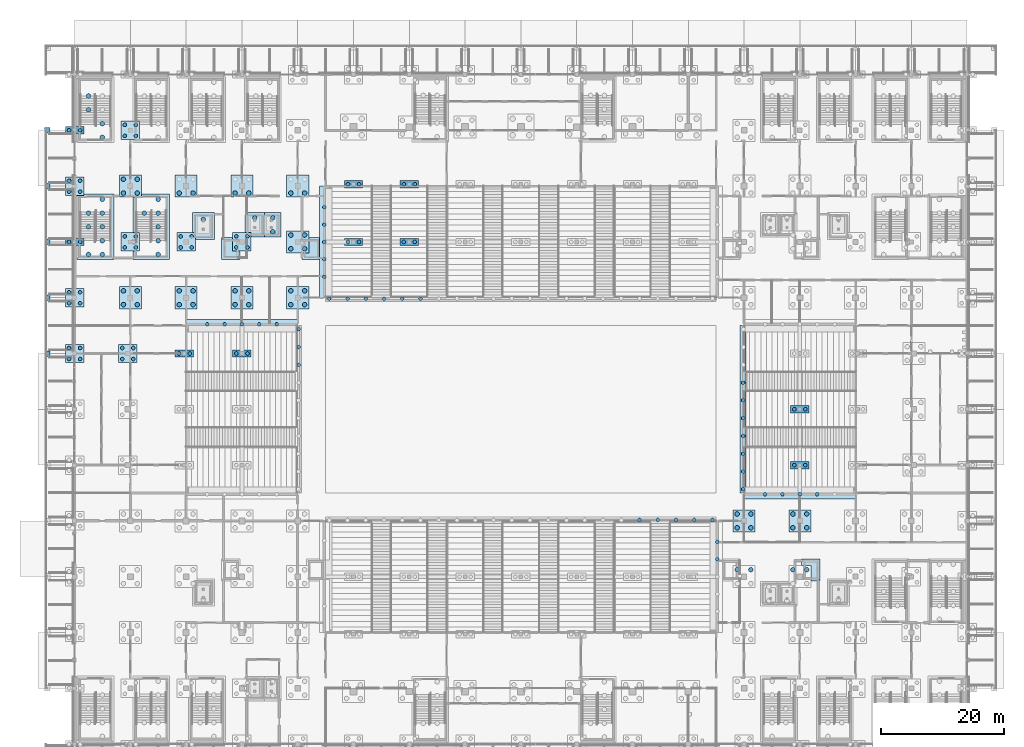
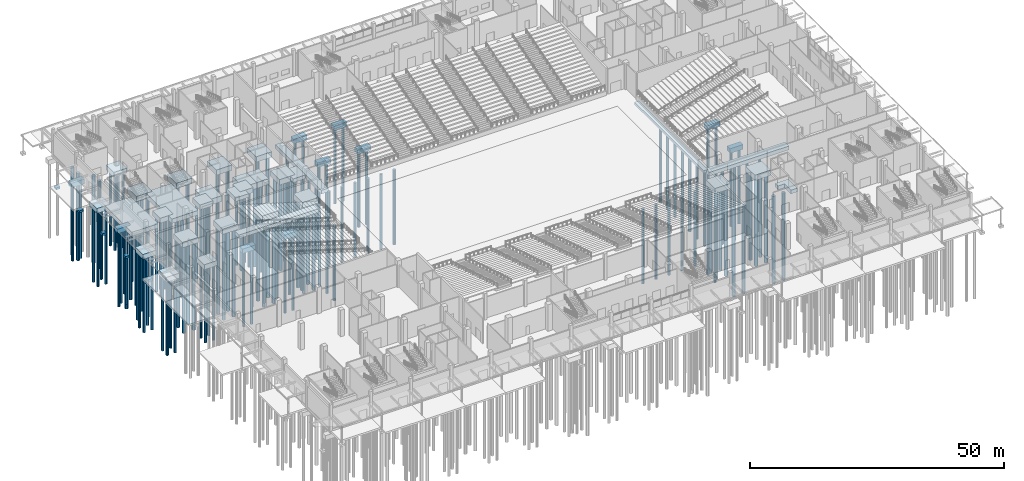
# One storey, part 3 of 129: 153 piles, 46 footings.
"""IFC4 building model written with IfcOpenShell, lengths in metres."""

from ifc_helpers import new_model, si_unit, direction, frame, origin, origin_2d, place, context, subcontext, project, spatial, polyline, rectangle, circle, outline, extrude, material, material_profile, profile_set, type_object, element, save


model = new_model("IFC4")

# Units and contexts
model_context = context("Model", 3, precision=1e-05, world=origin(), true_north=direction((0.0, 1.0)))
body_context = subcontext(model_context, "Body", "Model", "MODEL_VIEW")
ifc_project = project(units=[si_unit("LENGTHUNIT", "METRE"), si_unit("AREAUNIT", "SQUARE_METRE"), si_unit("VOLUMEUNIT", "CUBIC_METRE"), si_unit("PLANEANGLEUNIT", "RADIAN"), si_unit("MASSUNIT", "GRAM", prefix="KILO")], contexts=[model_context])

# Site, building, storey
site_placement = place(None, origin())
site = spatial("IfcSite", under=ifc_project, at=site_placement, CompositionType="ELEMENT")
building_placement = place(site_placement, origin())
building = spatial("IfcBuilding", under=site, at=building_placement, Name="Shirokan Park Arena", CompositionType="ELEMENT")
storey_placement = place(building_placement, origin())
storey = spatial("IfcBuildingStorey", under=building, at=storey_placement, Name="L00", CompositionType="ELEMENT", Elevation=0.0)

# Piles
ifc_material = material(Name="Concrete C30", Category="concrete")
ifc_material_profile_1 = material_profile(ifc_material, circle(Radius=0.300048828125, at=origin_2d()), Name="D600")
ifc_profile_set_1 = profile_set([ifc_material_profile_1], Name="Concrete C30")
pile_type_1 = type_object("IfcPileType", Name="Bored pile 600", PredefinedType="BORED", material=ifc_profile_set_1)
for number, where, z_axis, x_axis, name in (
    (1, (-0.89990234375, 62.800048828125, -1.60009765625), (0.0, 0.0, -1.0), (1.0, 0.0, 0.0), "Bored pile 1H 1"),
    (2, (-0.89990234375, 64.60009765625, -1.60009765625), (0.0, 0.0, -1.0), (1.0, 0.0, 0.0), "Bored pile 1H 2"),
    (3, (0.89990234375, 62.800048828125, -1.60009765625), (0.0, 0.0, -1.0), (1.0, 0.0, 0.0), "Bored pile 1H 3"),
    (4, (0.89990234375, 64.60009765625, -1.60009765625), (0.0, 0.0, -1.0), (1.0, 0.0, 0.0), "Bored pile 1H 4"),
    (5, (-0.89990234375, 71.89990234375, -1.60009765625), (0.0, 0.0, -1.0), (1.0, 0.0, 0.0), "Bored pile 1J 1"),
    (6, (-0.89990234375, 73.699951171875, -1.60009765625), (0.0, 0.0, -1.0), (1.0, 0.0, 0.0), "Bored pile 1J 2"),
    (7, (0.89990234375, 71.89990234375, -1.60009765625), (0.0, 0.0, -1.0), (1.0, 0.0, 0.0), "Bored pile 1J 3"),
    (8, (0.89990234375, 73.699951171875, -1.60009765625), (0.0, 0.0, -1.0), (1.0, 0.0, 0.0), "Bored pile 1J 4"),
    (9, (-0.89990234375, 81.89990234375, -1.5), (0.0, 0.0, -1.0), (1.0, 0.0, 0.0), "Bored pile 1K 1"),
    (10, (0.89990234375, 81.89990234375, -1.5), (0.0, 0.0, -1.0), (1.0, 0.0, 0.0), "Bored pile 1K 2"),
    (11, (-0.89990234375, 90.10009765625, -1.60009765625), (0.0, 0.0, -1.0), (1.0, 0.0, 0.0), "Bored pile 1L 1"),
    (12, (-0.89990234375, 91.89990234375, -1.60009765625), (0.0, 0.0, -1.0), (1.0, 0.0, 0.0), "Bored pile 1L 2"),
    (13, (0.89990234375, 90.10009765625, -1.60009765625), (0.0, 0.0, -1.0), (1.0, 0.0, 0.0), "Bored pile 1L 3"),
    (14, (0.89990234375, 91.89990234375, -1.60009765625), (0.0, 0.0, -1.0), (1.0, 0.0, 0.0), "Bored pile 1L 4"),
    (15, (-0.89990234375, 100.10009765625, -1.5), (0.0, 0.0, -1.0), (1.0, 0.0, 0.0), "Bored pile 1M 1"),
    (16, (0.89990234375, 100.10009765625, -1.5), (0.0, 0.0, -1.0), (1.0, 0.0, 0.0), "Bored pile 1M 2"),
    (17, (7.77490234375, 62.800048828125, -1.60009765625), (0.0, 0.0, -1.0), (1.0, 0.0, 0.0), "Bored pile 2H 1"),
    (18, (7.77490234375, 64.60009765625, -1.60009765625), (0.0, 0.0, -1.0), (1.0, 0.0, 0.0), "Bored pile 2H 2"),
    (19, (9.574951171875, 62.800048828125, -1.60009765625), (0.0, 0.0, -1.0), (1.0, 0.0, 0.0), "Bored pile 2H 3"),
    (20, (9.574951171875, 64.60009765625, -1.60009765625), (0.0, 0.0, -1.0), (1.0, 0.0, 0.0), "Bored pile 2H 4"),
    (21, (8.199951171875, 81.0, -1.60009765625), (0.0, 0.0, -1.0), (1.0, 0.0, 0.0), "Bored pile 2K 1"),
    (22, (8.199951171875, 82.800048828125, -1.60009765625), (0.0, 0.0, -1.0), (1.0, 0.0, 0.0), "Bored pile 2K 2"),
    (23, (10.0, 81.0, -1.60009765625), (0.0, 0.0, -1.0), (1.0, 0.0, 0.0), "Bored pile 2K 3"),
    (24, (10.0, 82.800048828125, -1.60009765625), (0.0, 0.0, -1.0), (1.0, 0.0, 0.0), "Bored pile 2K 4"),
    (25, (8.199951171875, 99.199951171875, -1.60009765625), (0.0, 0.0, -1.0), (1.0, 0.0, 0.0), "Bored pile 2M 1"),
    (26, (8.199951171875, 101.0, -1.60009765625), (0.0, 0.0, -1.0), (1.0, 0.0, 0.0), "Bored pile 2M 2"),
    (27, (10.0, 99.199951171875, -1.60009765625), (0.0, 0.0, -1.0), (1.0, 0.0, 0.0), "Bored pile 2M 3"),
    (28, (10.0, 101.0, -1.60009765625), (0.0, 0.0, -1.0), (1.0, 0.0, 0.0), "Bored pile 2M 4"),
    (29, (17.0, 63.699951171875, -1.5), (0.0, 0.0, -1.0), (1.0, 0.0, 0.0), "Bored pile 3H 1"),
    (30, (18.800048828125, 63.699951171875, -1.5), (0.0, 0.0, -1.0), (1.0, 0.0, 0.0), "Bored pile 3H 2"),
    (31, (17.300048828125, 81.0, -1.60009765625), (0.0, 0.0, -1.0), (1.0, 0.0, 0.0), "Bored pile 3K 1"),
    (32, (17.300048828125, 82.800048828125, -1.60009765625), (0.0, 0.0, -1.0), (1.0, 0.0, 0.0), "Bored pile 3K 2"),
    (33, (19.10009765625, 81.0, -1.60009765625), (0.0, 0.0, -1.0), (1.0, 0.0, 0.0), "Bored pile 3K 3"),
    (34, (19.10009765625, 82.800048828125, -1.60009765625), (0.0, 0.0, -1.0), (1.0, 0.0, 0.0), "Bored pile 3K 4"),
    (35, (26.39990234375, 63.699951171875, -1.5), (0.0, 0.0, -1.0), (1.0, 0.0, 0.0), "Bored pile 4H 1"),
    (36, (28.199951171875, 63.699951171875, -1.5), (0.0, 0.0, -1.0), (1.0, 0.0, 0.0), "Bored pile 4H 2"),
    (37, (26.39990234375, 81.0, -1.60009765625), (0.0, 0.0, -1.0), (1.0, 0.0, 0.0), "Bored pile 4K 1"),
    (38, (26.39990234375, 82.800048828125, -1.60009765625), (0.0, 0.0, -1.0), (1.0, 0.0, 0.0), "Bored pile 4K 2"),
    (39, (28.199951171875, 81.0, -1.60009765625), (0.0, 0.0, -1.0), (1.0, 0.0, 0.0), "Bored pile 4K 3"),
    (40, (28.199951171875, 82.800048828125, -1.60009765625), (0.0, 0.0, -1.0), (1.0, 0.0, 0.0), "Bored pile 4K 4"),
    (41, (44.60009765625, 81.89990234375, -1.5), (0.0, 0.0, -1.0), (1.0, 0.0, 0.0), "Bored pile 6K 1"),
    (42, (46.39990234375, 81.89990234375, -1.5), (0.0, 0.0, -1.0), (1.0, 0.0, 0.0), "Bored pile 6K 2"),
    (43, (44.60009765625, 91.300048828125, -1.5), (0.0, 0.0, -1.0), (1.0, 0.0, 0.0), "Bored pile 6L 1"),
    (44, (46.39990234375, 91.300048828125, -1.5), (0.0, 0.0, -1.0), (1.0, 0.0, 0.0), "Bored pile 6L 2"),
    (45, (53.699951171875, 81.89990234375, -1.5), (0.0, 0.0, -1.0), (1.0, 0.0, 0.0), "Bored pile 7K 1"),
    (46, (55.5, 81.89990234375, -1.5), (0.0, 0.0, -1.0), (1.0, 0.0, 0.0), "Bored pile 7K 2"),
    (47, (53.699951171875, 91.300048828125, -1.5), (0.0, 0.0, -1.0), (1.0, 0.0, 0.0), "Bored pile 7L 1"),
    (48, (55.5, 91.300048828125, -1.5), (0.0, 0.0, -1.0), (1.0, 0.0, 0.0), "Bored pile 7L 2"),
    (49, (117.39990234375, 45.5, -1.5), (0.0, 0.0, -1.0), (1.0, 0.0, 0.0), "Bored pile 14F 1"),
    (50, (119.199951171875, 45.5, -1.5), (0.0, 0.0, -1.0), (1.0, 0.0, 0.0), "Bored pile 14F 2"),
    (51, (117.39990234375, 54.60009765625, -1.5), (0.0, 0.0, -1.0), (1.0, 0.0, 0.0), "Bored pile 14G 1"),
    (52, (119.199951171875, 54.60009765625, -1.5), (0.0, 0.0, -1.0), (1.0, 0.0, 0.0), "Bored pile 14G 2"),
    (53, (41.550048828125, 72.64990234375, -1.0), (0.0, 0.0, -1.0), (1.0, 0.0, 0.0), "Bored pile front wall N 1"),
    (54, (44.526123046875, 72.64990234375, -1.0), (0.0, 0.0, -1.0), (1.0, 0.0, 0.0), "Bored pile front wall N 2"),
    (55, (47.50244140625, 72.64990234375, -1.0), (0.0, 0.0, -1.0), (1.0, 0.0, 0.0), "Bored pile front wall N 3"),
    (56, (50.478515625, 72.64990234375, -1.0), (0.0, 0.0, -1.0), (1.0, 0.0, 0.0), "Bored pile front wall N 4"),
    (57, (53.454833984375, 72.64990234375, -1.0), (0.0, 0.0, -1.0), (1.0, 0.0, 0.0), "Bored pile front wall N 5"),
    (58, (56.430908203125, 72.64990234375, -1.0), (0.0, 0.0, -1.0), (1.0, 0.0, 0.0), "Bored pile front wall N 6"),
    (59, (92.145263671875, 36.550048828125, -1.0), (0.0, 0.0, -1.0), (1.0, 0.0, 0.0), "Bored pile front wall S 18"),
    (60, (95.121337890625, 36.550048828125, -1.0), (0.0, 0.0, -1.0), (1.0, 0.0, 0.0), "Bored pile front wall S 19"),
    (61, (98.09765625, 36.550048828125, -1.0), (0.0, 0.0, -1.0), (1.0, 0.0, 0.0), "Bored pile front wall S 20"),
    (62, (101.07373046875, 36.550048828125, -1.0), (0.0, 0.0, -1.0), (1.0, 0.0, 0.0), "Bored pile front wall S 21"),
    (63, (104.050048828125, 36.550048828125, -1.0), (0.0, 0.0, -1.0), (1.0, 0.0, 0.0), "Bored pile front wall S 22"),
    (64, (109.050048828125, 41.550048828125, -1.0), (0.0, 0.0, -1.0), (1.0, 0.0, 0.0), "Bored pile front wall E 1"),
    (65, (109.050048828125, 44.449951171875, -1.0), (0.0, 0.0, -1.0), (1.0, 0.0, 0.0), "Bored pile front wall E 2"),
    (66, (109.050048828125, 47.35009765625, -1.0), (0.0, 0.0, -1.0), (1.0, 0.0, 0.0), "Bored pile front wall E 3"),
    (67, (109.050048828125, 50.25, -1.0), (0.0, 0.0, -1.0), (1.0, 0.0, 0.0), "Bored pile front wall E 4"),
    (68, (109.050048828125, 53.14990234375, -1.0), (0.0, 0.0, -1.0), (1.0, 0.0, 0.0), "Bored pile front wall E 5"),
    (69, (109.050048828125, 56.050048828125, -1.0), (0.0, 0.0, -1.0), (1.0, 0.0, 0.0), "Bored pile front wall E 6"),
    (70, (109.050048828125, 58.949951171875, -1.0), (0.0, 0.0, -1.0), (1.0, 0.0, 0.0), "Bored pile front wall E 7"),
    (71, (36.550048828125, 61.85009765625, -1.0), (0.0, 0.0, -1.0), (1.0, 0.0, 0.0), "Bored pile front wall W 8"),
    (72, (36.550048828125, 64.75, -1.0), (0.0, 0.0, -1.0), (1.0, 0.0, 0.0), "Bored pile front wall W 9"),
    (73, (36.550048828125, 67.64990234375, -1.0), (0.0, 0.0, -1.0), (1.0, 0.0, 0.0), "Bored pile front wall W 10"),
    (74, (40.75, 76.2333984375, -1.300048828125), (0.0, 0.0, -1.0), (1.0, 0.0, 0.0), "Bored pile flank wall N1 1"),
    (75, (40.75, 79.066650390625, -1.300048828125), (0.0, 0.0, -1.0), (1.0, 0.0, 0.0), "Bored pile flank wall N1 2"),
    (76, (40.75, 81.89990234375, -1.300048828125), (0.0, 0.0, -1.0), (1.0, 0.0, 0.0), "Bored pile flank wall N1 3"),
    (77, (40.75, 84.7333984375, -1.300048828125), (0.0, 0.0, -1.0), (1.0, 0.0, 0.0), "Bored pile flank wall N1 4"),
    (78, (40.75, 87.566650390625, -1.300048828125), (0.0, 0.0, -1.0), (1.0, 0.0, 0.0), "Bored pile flank wall N1 5"),
    (79, (104.85009765625, 32.966552734375, -1.300048828125), (0.0, 0.0, -1.0), (1.0, 0.0, 0.0), "Bored pile flank wall S2 1"),
    (80, (104.85009765625, 30.13330078125, -1.300048828125), (0.0, 0.0, -1.0), (1.0, 0.0, 0.0), "Bored pile flank wall S2 2"),
    (81, (112.63330078125, 40.75, -1.300048828125), (0.0, 0.0, -1.0), (1.0, 0.0, 0.0), "Bored pile flank wall E1 1"),
    (82, (115.466552734375, 40.75, -1.300048828125), (0.0, 0.0, -1.0), (1.0, 0.0, 0.0), "Bored pile flank wall E1 2"),
    (83, (118.300048828125, 40.75, -1.300048828125), (0.0, 0.0, -1.0), (1.0, 0.0, 0.0), "Bored pile flank wall E1 3"),
    (84, (121.13330078125, 40.75, -1.300048828125), (0.0, 0.0, -1.0), (1.0, 0.0, 0.0), "Bored pile flank wall E1 4"),
    (85, (32.966552734375, 68.449951171875, -1.300048828125), (0.0, 0.0, -1.0), (1.0, 0.0, 0.0), "Bored pile flank wall W2 1"),
    (86, (30.13330078125, 68.449951171875, -1.300048828125), (0.0, 0.0, -1.0), (1.0, 0.0, 0.0), "Bored pile flank wall W2 2"),
    (87, (27.300048828125, 68.449951171875, -1.300048828125), (0.0, 0.0, -1.0), (1.0, 0.0, 0.0), "Bored pile flank wall W2 3"),
    (88, (24.466552734375, 68.449951171875, -1.300048828125), (0.0, 0.0, -1.0), (1.0, 0.0, 0.0), "Bored pile flank wall W2 4"),
    (89, (21.63330078125, 68.449951171875, -1.300048828125), (0.0, 0.0, -1.0), (1.0, 0.0, 0.0), "Bored pile flank wall W2 5"),
):
    element("IfcPile", number, at=place(storey_placement, frame(where, z_axis=z_axis, x_axis=x_axis)), inside=storey, type_object=pile_type_1, Name=name, PredefinedType="BORED", context=body_context, shape_type="SweptSolid", body=[
        extrude(circle(Radius=0.300048828125, at=origin_2d()), origin(), (0.0, 0.0, 1.0), 18.0),
    ])
ifc_material_profile_2 = material_profile(ifc_material, circle(Radius=0.375, at=origin_2d()), Name="D750")
ifc_profile_set_2 = profile_set([ifc_material_profile_2], Name="Concrete C30")
pile_type_2 = type_object("IfcPileType", Name="Bored pile 750", PredefinedType="BORED", material=ifc_profile_set_2)
for number, where, z_axis, x_axis, name in (
    (90, (7.97509765625, 71.675048828125, -1.699951171875), (0.0, 0.0, -1.0), (1.0, 0.0, 0.0), "Bored pile 2J 1"),
    (91, (7.97509765625, 73.925048828125, -1.699951171875), (0.0, 0.0, -1.0), (1.0, 0.0, 0.0), "Bored pile 2J 2"),
    (92, (10.22509765625, 71.675048828125, -1.699951171875), (0.0, 0.0, -1.0), (1.0, 0.0, 0.0), "Bored pile 2J 3"),
    (93, (10.22509765625, 73.925048828125, -1.699951171875), (0.0, 0.0, -1.0), (1.0, 0.0, 0.0), "Bored pile 2J 4"),
    (94, (7.97509765625, 89.875, -1.699951171875), (0.0, 0.0, -1.0), (1.0, 0.0, 0.0), "Bored pile 2L 1"),
    (95, (7.97509765625, 92.125, -1.699951171875), (0.0, 0.0, -1.0), (1.0, 0.0, 0.0), "Bored pile 2L 2"),
    (96, (10.22509765625, 89.875, -1.699951171875), (0.0, 0.0, -1.0), (1.0, 0.0, 0.0), "Bored pile 2L 3"),
    (97, (10.22509765625, 92.125, -1.699951171875), (0.0, 0.0, -1.0), (1.0, 0.0, 0.0), "Bored pile 2L 4"),
    (98, (17.074951171875, 71.675048828125, -1.699951171875), (0.0, 0.0, -1.0), (1.0, 0.0, 0.0), "Bored pile 3J 1"),
    (99, (17.074951171875, 73.925048828125, -1.699951171875), (0.0, 0.0, -1.0), (1.0, 0.0, 0.0), "Bored pile 3J 2"),
    (100, (19.324951171875, 71.675048828125, -1.699951171875), (0.0, 0.0, -1.0), (1.0, 0.0, 0.0), "Bored pile 3J 3"),
    (101, (19.324951171875, 73.925048828125, -1.699951171875), (0.0, 0.0, -1.0), (1.0, 0.0, 0.0), "Bored pile 3J 4"),
    (102, (17.074951171875, 89.875, -1.699951171875), (0.0, 0.0, -1.0), (1.0, 0.0, 0.0), "Bored pile 3L 1"),
    (103, (19.324951171875, 89.875, -1.699951171875), (0.0, 0.0, -1.0), (1.0, 0.0, 0.0), "Bored pile 3L 3"),
    (104, (26.175048828125, 71.675048828125, -1.699951171875), (0.0, 0.0, -1.0), (1.0, 0.0, 0.0), "Bored pile 4J 1"),
    (105, (26.175048828125, 73.925048828125, -1.699951171875), (0.0, 0.0, -1.0), (1.0, 0.0, 0.0), "Bored pile 4J 2"),
    (106, (28.425048828125, 71.675048828125, -1.699951171875), (0.0, 0.0, -1.0), (1.0, 0.0, 0.0), "Bored pile 4J 3"),
    (107, (28.425048828125, 73.925048828125, -1.699951171875), (0.0, 0.0, -1.0), (1.0, 0.0, 0.0), "Bored pile 4J 4"),
    (108, (26.175048828125, 89.875, -1.699951171875), (0.0, 0.0, -1.0), (1.0, 0.0, 0.0), "Bored pile 4L 1"),
    (109, (28.425048828125, 89.875, -1.699951171875), (0.0, 0.0, -1.0), (1.0, 0.0, 0.0), "Bored pile 4L 3"),
    (110, (35.27490234375, 71.675048828125, -1.699951171875), (0.0, 0.0, -1.0), (1.0, 0.0, 0.0), "Bored pile 5J 1"),
    (111, (35.27490234375, 73.925048828125, -1.699951171875), (0.0, 0.0, -1.0), (1.0, 0.0, 0.0), "Bored pile 5J 2"),
    (112, (37.52490234375, 71.675048828125, -1.699951171875), (0.0, 0.0, -1.0), (1.0, 0.0, 0.0), "Bored pile 5J 3"),
    (113, (37.52490234375, 73.925048828125, -1.699951171875), (0.0, 0.0, -1.0), (1.0, 0.0, 0.0), "Bored pile 5J 4"),
    (114, (35.27490234375, 80.77490234375, -1.699951171875), (0.0, 0.0, -1.0), (1.0, 0.0, 0.0), "Bored pile 5K 1"),
    (115, (35.27490234375, 83.02490234375, -1.699951171875), (0.0, 0.0, -1.0), (1.0, 0.0, 0.0), "Bored pile 5K 2"),
    (116, (37.52490234375, 80.77490234375, -1.699951171875), (0.0, 0.0, -1.0), (1.0, 0.0, 0.0), "Bored pile 5K 3"),
    (117, (37.52490234375, 83.02490234375, -1.699951171875), (0.0, 0.0, -1.0), (1.0, 0.0, 0.0), "Bored pile 5K 4"),
    (118, (35.27490234375, 89.875, -1.699951171875), (0.0, 0.0, -1.0), (1.0, 0.0, 0.0), "Bored pile 5L 1"),
    (119, (37.52490234375, 89.875, -1.699951171875), (0.0, 0.0, -1.0), (1.0, 0.0, 0.0), "Bored pile 5L 3"),
    (120, (108.074951171875, 28.425048828125, -1.699951171875), (0.0, 0.0, -1.0), (1.0, 0.0, 0.0), "Bored pile 13D 2"),
    (121, (110.324951171875, 28.425048828125, -1.699951171875), (0.0, 0.0, -1.0), (1.0, 0.0, 0.0), "Bored pile 13D 4"),
    (122, (108.074951171875, 35.27490234375, -1.699951171875), (0.0, 0.0, -1.0), (1.0, 0.0, 0.0), "Bored pile 13E 1"),
    (123, (108.074951171875, 37.52490234375, -1.699951171875), (0.0, 0.0, -1.0), (1.0, 0.0, 0.0), "Bored pile 13E 2"),
    (124, (110.324951171875, 35.27490234375, -1.699951171875), (0.0, 0.0, -1.0), (1.0, 0.0, 0.0), "Bored pile 13E 3"),
    (125, (110.324951171875, 37.52490234375, -1.699951171875), (0.0, 0.0, -1.0), (1.0, 0.0, 0.0), "Bored pile 13E 4"),
    (126, (117.175048828125, 28.425048828125, -1.699951171875), (0.0, 0.0, -1.0), (1.0, 0.0, 0.0), "Bored pile 14D 2"),
    (127, (119.425048828125, 28.425048828125, -1.699951171875), (0.0, 0.0, -1.0), (1.0, 0.0, 0.0), "Bored pile 14D 4"),
    (128, (117.175048828125, 35.27490234375, -1.699951171875), (0.0, 0.0, -1.0), (1.0, 0.0, 0.0), "Bored pile 14E 1"),
    (129, (117.175048828125, 37.52490234375, -1.699951171875), (0.0, 0.0, -1.0), (1.0, 0.0, 0.0), "Bored pile 14E 2"),
    (130, (119.425048828125, 35.27490234375, -1.699951171875), (0.0, 0.0, -1.0), (1.0, 0.0, 0.0), "Bored pile 14E 3"),
    (131, (119.425048828125, 37.52490234375, -1.699951171875), (0.0, 0.0, -1.0), (1.0, 0.0, 0.0), "Bored pile 14E 4"),
    (132, (29.39990234375, 85.824951171875, -2.800048828125), (0.0, 0.0, -1.0), (1.0, 0.0, 0.0), "Bored pile Passenger Lift 4.1 1"),
    (133, (32.35009765625, 83.574951171875, -2.800048828125), (0.0, 0.0, -1.0), (1.0, 0.0, 0.0), "Bored pile Passenger Lift 4.2 1"),
    (134, (32.35009765625, 85.824951171875, -2.800048828125), (0.0, 0.0, -1.0), (1.0, 0.0, 0.0), "Bored pile Passenger Lift 4.2 2"),
    (135, (21.0, 85.625, -2.800048828125), (0.0, 0.0, -1.0), (1.0, 0.0, 0.0), "Bored pile Service Lift 4 1"),
    (136, (2.27490234375, 103.449951171875, -1.5), (0.0, 0.0, -1.0), (1.0, 0.0, 0.0), "Bored pile Exit Stair 4.A 1"),
    (137, (2.27490234375, 105.699951171875, -1.5), (0.0, 0.0, -1.0), (1.0, 0.0, 0.0), "Bored pile Exit Stair 4.A 2"),
    (138, (4.52490234375, 98.949951171875, -1.5), (0.0, 0.0, -1.0), (1.0, 0.0, 0.0), "Bored pile Exit Stair 4.A 3"),
    (139, (4.52490234375, 101.199951171875, -1.5), (0.0, 0.0, -1.0), (1.0, 0.0, 0.0), "Bored pile Exit Stair 4.A 4"),
    (140, (2.27490234375, 79.85009765625, -1.5), (0.0, 0.0, -1.0), (1.0, 0.0, 0.0), "Bored pile Exit Stair 4.E 1"),
    (141, (2.27490234375, 84.35009765625, -1.5), (0.0, 0.0, -1.0), (1.0, 0.0, 0.0), "Bored pile Exit Stair 4.E 2"),
    (142, (2.27490234375, 86.60009765625, -1.5), (0.0, 0.0, -1.0), (1.0, 0.0, 0.0), "Bored pile Exit Stair 4.E 3"),
    (143, (4.52490234375, 79.85009765625, -1.5), (0.0, 0.0, -1.0), (1.0, 0.0, 0.0), "Bored pile Exit Stair 4.E 4"),
    (144, (4.52490234375, 82.10009765625, -1.5), (0.0, 0.0, -1.0), (1.0, 0.0, 0.0), "Bored pile Exit Stair 4.E 5"),
    (145, (4.52490234375, 84.35009765625, -1.5), (0.0, 0.0, -1.0), (1.0, 0.0, 0.0), "Bored pile Exit Stair 4.E 6"),
    (146, (4.52490234375, 86.60009765625, -1.5), (0.0, 0.0, -1.0), (1.0, 0.0, 0.0), "Bored pile Exit Stair 4.E 7"),
    (147, (4.52490234375, 88.85009765625, -1.5), (0.0, 0.0, -1.0), (1.0, 0.0, 0.0), "Bored pile Exit Stair 4.E 8"),
    (148, (11.375, 86.60009765625, -1.5), (0.0, 0.0, -1.0), (1.0, 0.0, 0.0), "Bored pile Exit Stair 4.F 1"),
    (149, (13.625, 79.85009765625, -1.5), (0.0, 0.0, -1.0), (1.0, 0.0, 0.0), "Bored pile Exit Stair 4.F 2"),
    (150, (13.625, 82.10009765625, -1.5), (0.0, 0.0, -1.0), (1.0, 0.0, 0.0), "Bored pile Exit Stair 4.F 3"),
    (151, (13.625, 84.35009765625, -1.5), (0.0, 0.0, -1.0), (1.0, 0.0, 0.0), "Bored pile Exit Stair 4.F 4"),
    (152, (13.625, 86.60009765625, -1.5), (0.0, 0.0, -1.0), (1.0, 0.0, 0.0), "Bored pile Exit Stair 4.F 5"),
    (153, (13.625, 88.85009765625, -1.5), (0.0, 0.0, -1.0), (1.0, 0.0, 0.0), "Bored pile Exit Stair 4.F 6"),
):
    element("IfcPile", number, at=place(storey_placement, frame(where, z_axis=z_axis, x_axis=x_axis)), inside=storey, type_object=pile_type_2, Name=name, PredefinedType="BORED", context=body_context, shape_type="SweptSolid", body=[
        extrude(circle(Radius=0.375, at=origin_2d()), origin(), (0.0, 0.0, 1.0), 21.0),
    ])

# Footings
footing_type_1 = type_object("IfcFootingType", Name="Pad footing 900x900x500", PredefinedType="PAD_FOOTING", material=ifc_material)
for number, where, z_axis, x_axis, name in (
    (154, (-4.425048828125, 100.10009765625, -0.89990234375), (0.0, 0.0, 1.0), (1.0, 0.0, 0.0), "Pad footing west grid 2"),
    (155, (-4.425048828125, 91.0, -0.89990234375), (0.0, 0.0, 1.0), (1.0, 0.0, 0.0), "Pad footing west grid 3"),
    (156, (-4.425048828125, 81.89990234375, -0.89990234375), (0.0, 0.0, 1.0), (1.0, 0.0, 0.0), "Pad footing west grid 4"),
    (157, (-4.425048828125, 72.800048828125, -0.89990234375), (0.0, 0.0, 1.0), (1.0, 0.0, 0.0), "Pad footing west grid 5"),
    (158, (-4.425048828125, 63.699951171875, -0.89990234375), (0.0, 0.0, 1.0), (1.0, 0.0, 0.0), "Pad footing west grid 6"),
):
    element("IfcFooting", number, at=place(storey_placement, frame(where, z_axis=z_axis, x_axis=x_axis)), inside=storey, type_object=footing_type_1, Name=name, PredefinedType="PAD_FOOTING", context=body_context, shape_type="SweptSolid", body=[
        extrude(rectangle(XDim=0.89990234375, YDim=0.89990234375, at=origin_2d()), origin(), (0.0, 0.0, 1.0), 0.5),
    ])
footing_type_2 = type_object("IfcFootingType", Name="Pile cap 2-pile 3000x1200x1100", PredefinedType="PILE_CAP", material=ifc_material)
for number, where, z_axis, x_axis, name in (
    (159, (0.0, 81.89990234375, -1.5), (0.0, 0.0, 1.0), (1.0, 0.0, 0.0), "Pile cap 1K"),
    (160, (0.0, 100.10009765625, -1.5), (0.0, 0.0, 1.0), (1.0, 0.0, 0.0), "Pile cap 1M"),
    (161, (17.89990234375, 63.699951171875, -1.5), (0.0, 0.0, 1.0), (1.0, 0.0, 0.0), "Pile cap 3H"),
    (162, (27.300048828125, 63.699951171875, -1.5), (0.0, 0.0, 1.0), (1.0, 0.0, 0.0), "Pile cap 4H"),
    (163, (45.5, 81.89990234375, -1.5), (0.0, 0.0, 1.0), (1.0, 0.0, 0.0), "Pile cap 6K"),
    (164, (45.5, 91.300048828125, -1.5), (0.0, 0.0, 1.0), (1.0, 0.0, 0.0), "Pile cap 6L"),
    (165, (54.60009765625, 81.89990234375, -1.5), (0.0, 0.0, 1.0), (1.0, 0.0, 0.0), "Pile cap 7K"),
    (166, (54.60009765625, 91.300048828125, -1.5), (0.0, 0.0, 1.0), (1.0, 0.0, 0.0), "Pile cap 7L"),
    (167, (118.300048828125, 45.5, -1.5), (0.0, 0.0, 1.0), (1.0, 0.0, 0.0), "Pile cap 14F"),
    (168, (118.300048828125, 54.60009765625, -1.5), (0.0, 0.0, 1.0), (1.0, 0.0, 0.0), "Pile cap 14G"),
):
    element("IfcFooting", number, at=place(storey_placement, frame(where, z_axis=z_axis, x_axis=x_axis)), inside=storey, type_object=footing_type_2, Name=name, PredefinedType="PILE_CAP", context=body_context, shape_type="SweptSolid", body=[
        extrude(rectangle(XDim=3.0, YDim=1.199951171875, at=origin_2d()), origin(), (0.0, 0.0, 1.0), 1.10009765625),
    ])
footing_type_3 = type_object("IfcFootingType", Name="Pile cap 4-pile 3000x3000x1200", PredefinedType="PILE_CAP", material=ifc_material)
for number, where, z_axis, x_axis, name in (
    (169, (0.0, 63.699951171875, -1.60009765625), (0.0, 0.0, 1.0), (1.0, 0.0, 0.0), "Pile cap 1H"),
    (170, (0.0, 72.800048828125, -1.60009765625), (0.0, 0.0, 1.0), (1.0, 0.0, 0.0), "Pile cap 1J"),
    (171, (0.0, 91.0, -1.60009765625), (0.0, 0.0, 1.0), (1.0, 0.0, 0.0), "Pile cap 1L"),
    (172, (8.675048828125, 63.699951171875, -1.60009765625), (0.0, 0.0, 1.0), (1.0, 0.0, 0.0), "Pile cap 2H"),
    (173, (9.10009765625, 81.89990234375, -1.60009765625), (0.0, 0.0, 1.0), (1.0, 0.0, 0.0), "Pile cap 2K"),
    (174, (9.10009765625, 100.10009765625, -1.60009765625), (0.0, 0.0, 1.0), (1.0, 0.0, 0.0), "Pile cap 2M"),
    (175, (18.199951171875, 81.89990234375, -1.60009765625), (0.0, 0.0, 1.0), (1.0, 0.0, 0.0), "Pile cap 3K"),
    (176, (27.300048828125, 81.89990234375, -1.60009765625), (0.0, 0.0, 1.0), (1.0, 0.0, 0.0), "Pile cap 4K"),
):
    element("IfcFooting", number, at=place(storey_placement, frame(where, z_axis=z_axis, x_axis=x_axis)), inside=storey, type_object=footing_type_3, Name=name, PredefinedType="PILE_CAP", context=body_context, shape_type="SweptSolid", body=[
        extrude(rectangle(XDim=3.0, YDim=3.0, at=origin_2d()), origin(), (0.0, 0.0, 1.0), 1.199951171875),
    ])
footing_type_4 = type_object("IfcFootingType", Name="Pile cap 4-pile 3600x3600x1300", PredefinedType="PILE_CAP", material=ifc_material)
for number, where, z_axis, x_axis, name in (
    (177, (9.10009765625, 72.800048828125, -1.7001953125), (0.0, 0.0, 1.0), (1.0, 0.0, 0.0), "Pile cap 2J"),
    (178, (9.10009765625, 91.0, -1.7001953125), (0.0, 0.0, 1.0), (1.0, 0.0, 0.0), "Pile cap 2L"),
    (179, (18.199951171875, 72.800048828125, -1.7001953125), (0.0, 0.0, 1.0), (1.0, 0.0, 0.0), "Pile cap 3J"),
    (180, (18.199951171875, 91.0, -1.7001953125), (0.0, 0.0, 1.0), (1.0, 0.0, 0.0), "Pile cap 3L"),
    (181, (27.300048828125, 72.800048828125, -1.7001953125), (0.0, 0.0, 1.0), (1.0, 0.0, 0.0), "Pile cap 4J"),
    (182, (27.300048828125, 91.0, -1.7001953125), (0.0, 0.0, 1.0), (1.0, 0.0, 0.0), "Pile cap 4L"),
    (183, (36.39990234375, 72.800048828125, -1.7001953125), (0.0, 0.0, 1.0), (1.0, 0.0, 0.0), "Pile cap 5J"),
    (184, (36.39990234375, 81.89990234375, -1.7001953125), (0.0, 0.0, 1.0), (1.0, 0.0, 0.0), "Pile cap 5K"),
    (185, (36.39990234375, 91.0, -1.7001953125), (0.0, 0.0, 1.0), (1.0, 0.0, 0.0), "Pile cap 5L"),
    (186, (109.199951171875, 36.39990234375, -1.7001953125), (0.0, 0.0, 1.0), (1.0, 0.0, 0.0), "Pile cap 13E"),
    (187, (118.300048828125, 36.39990234375, -1.7001953125), (0.0, 0.0, 1.0), (1.0, 0.0, 0.0), "Pile cap 14E"),
):
    element("IfcFooting", number, at=place(storey_placement, frame(where, z_axis=z_axis, x_axis=x_axis)), inside=storey, type_object=footing_type_4, Name=name, PredefinedType="PILE_CAP", context=body_context, shape_type="SweptSolid", body=[
        extrude(rectangle(XDim=3.60009765625, YDim=3.60009765625, at=origin_2d()), origin(), (0.0, 0.0, 1.0), 1.300048828125),
    ])
footing_type_5 = type_object("IfcFootingType", Name="Shaft raft 1100", PredefinedType="PILE_CAP", material=ifc_material)
footing_1_placement = place(storey_placement, frame((0.0, 0.0, -1.5)))
element("IfcFooting", 188, at=footing_1_placement, inside=storey, type_object=footing_type_5, Name="Shaft raft Exit Stair 4.E", PredefinedType="PILE_CAP", context=body_context, shape_type="SweptSolid", body=[
    extrude(outline(polyline([(1.5, 82.5), (0.39990234375, 82.5), (0.39990234375, 89.5), (1.5, 89.5), (1.5, 89.699951171875), (6.39990234375, 89.699951171875), (6.39990234375, 79.0), (0.39990234375, 79.0), (0.39990234375, 81.300048828125), (1.5, 81.300048828125), (1.5, 82.5)])), origin(), (0.0, 0.0, 1.0), 1.10009765625),
])
footing_2_placement = place(storey_placement, frame((0.0, 0.0, -1.5)))
element("IfcFooting", 189, at=footing_2_placement, inside=storey, type_object=footing_type_5, Name="Shaft raft Exit Stair 4.F", PredefinedType="PILE_CAP", context=body_context, shape_type="SweptSolid", body=[
    extrude(outline(polyline([(15.5, 89.699951171875), (15.5, 79.0), (9.5, 79.0), (9.5, 80.39990234375), (10.60009765625, 80.39990234375), (10.60009765625, 83.39990234375), (9.5, 83.39990234375), (9.5, 89.199951171875), (10.89990234375, 89.199951171875), (10.89990234375, 89.699951171875), (15.5, 89.699951171875)])), origin(), (0.0, 0.0, 1.0), 1.10009765625),
])
footing_type_6 = type_object("IfcFootingType", Name="Shaft raft 1400", PredefinedType="PILE_CAP", material=ifc_material)
footing_3_placement = place(storey_placement, frame((0.0, 0.0, -2.800048828125)))
element("IfcFooting", 190, at=footing_3_placement, inside=storey, type_object=footing_type_6, Name="Shaft raft Passenger Lift 4.1", PredefinedType="PILE_CAP", context=body_context, shape_type="SweptSolid", body=[
    extrude(outline(polyline([(27.800048828125, 83.39990234375), (27.800048828125, 86.699951171875), (31.0, 86.699951171875), (31.0, 82.699951171875), (28.800048828125, 82.699951171875), (28.800048828125, 83.39990234375), (27.800048828125, 83.39990234375)])), origin(), (0.0, 0.0, 1.0), 1.400146484375),
])
footing_4_placement = place(storey_placement, frame((0.0, 0.0, -2.800048828125)))
element("IfcFooting", 191, at=footing_4_placement, inside=storey, type_object=footing_type_6, Name="Shaft raft Passenger Lift 4.2", PredefinedType="PILE_CAP", context=body_context, shape_type="SweptSolid", body=[
    extrude(outline(polyline([(33.699951171875, 82.699951171875), (31.0, 82.699951171875), (31.0, 86.699951171875), (33.699951171875, 86.699951171875), (33.699951171875, 82.699951171875)])), origin(), (0.0, 0.0, 1.0), 1.400146484375),
])
footing_5_placement = place(storey_placement, frame((0.0, 0.0, -2.800048828125)))
element("IfcFooting", 192, at=footing_5_placement, inside=storey, type_object=footing_type_6, Name="Shaft raft Service Lift 4", PredefinedType="PILE_CAP", context=body_context, shape_type="SweptSolid", body=[
    extrude(outline(polyline([(19.199951171875, 86.699951171875), (22.800048828125, 86.699951171875), (22.800048828125, 82.300048828125), (19.699951171875, 82.300048828125), (19.699951171875, 83.39990234375), (19.199951171875, 83.39990234375), (19.199951171875, 86.699951171875)])), origin(), (0.0, 0.0, 1.0), 1.400146484375),
])
footing_type_7 = type_object("IfcFootingType", Name="Shaft raft 900", PredefinedType="PILE_CAP", material=ifc_material)
footing_6_placement = place(storey_placement, frame((0.0, 0.0, -1.300048828125)))
element("IfcFooting", 193, at=footing_6_placement, inside=storey, type_object=footing_type_7, Name="Shaft raft Services Riser 2.2", PredefinedType="PILE_CAP", context=body_context, shape_type="SweptSolid", body=[
    extrude(outline(polyline([(120.10009765625, 29.10009765625), (118.60009765625, 29.10009765625), (118.60009765625, 30.199951171875), (121.60009765625, 30.199951171875), (121.60009765625, 26.60009765625), (120.10009765625, 26.60009765625), (120.10009765625, 29.10009765625)])), origin(), (0.0, 0.0, 1.0), 0.900146484375),
])
footing_7_placement = place(storey_placement, frame((0.0, 0.0, -1.300048828125)))
element("IfcFooting", 194, at=footing_7_placement, inside=storey, type_object=footing_type_7, Name="Shaft raft Services Riser 4.1", PredefinedType="PILE_CAP", context=body_context, shape_type="SweptSolid", body=[
    extrude(outline(polyline([(39.949951171875, 82.60009765625), (39.949951171875, 79.0), (37.10009765625, 79.0), (37.10009765625, 80.10009765625), (38.199951171875, 80.10009765625), (38.199951171875, 82.60009765625), (39.949951171875, 82.60009765625)])), origin(), (0.0, 0.0, 1.0), 0.900146484375),
])
footing_8_placement = place(storey_placement, frame((0.0, 0.0, -1.300048828125)))
element("IfcFooting", 195, at=footing_8_placement, inside=storey, type_object=footing_type_7, Name="Shaft raft Services Riser 4.2", PredefinedType="PILE_CAP", context=body_context, shape_type="SweptSolid", body=[
    extrude(outline(polyline([(27.0, 79.0), (24.0, 79.0), (24.0, 82.60009765625), (25.800048828125, 82.60009765625), (25.800048828125, 80.39990234375), (27.0, 80.39990234375), (27.0, 79.0)])), origin(), (0.0, 0.0, 1.0), 0.900146484375),
])
footing_type_8 = type_object("IfcFootingType", Name="Strip footing 1000x600", PredefinedType="STRIP_FOOTING", material=ifc_material)
footing_9_placement = place(storey_placement, frame((109.050048828125, 54.60009765625, -1.0), z_axis=(0.0, 0.0, 1.0), x_axis=(1.0, 0.0, 0.0)))
element("IfcFooting", 196, at=footing_9_placement, inside=storey, type_object=footing_type_8, Name="Strip footing front wall E", PredefinedType="STRIP_FOOTING", context=body_context, shape_type="SweptSolid", body=[
    extrude(rectangle(XDim=1.0, YDim=27.300048828125, at=origin_2d()), origin(), (0.0, 0.0, 1.0), 0.60009765625),
])
footing_type_9 = type_object("IfcFootingType", Name="Strip footing 1600x900", PredefinedType="STRIP_FOOTING", material=ifc_material)
footing_10_placement = place(storey_placement, frame((0.0, 0.0, -1.300048828125)))
element("IfcFooting", 197, at=footing_10_placement, inside=storey, type_object=footing_type_9, Name="Strip footing flank wall N1", PredefinedType="STRIP_FOOTING", context=body_context, shape_type="SweptSolid", body=[
    extrude(outline(polyline([(39.949951171875, 91.0), (41.550048828125, 91.0), (41.550048828125, 72.800048828125), (39.949951171875, 72.800048828125), (39.949951171875, 91.0)])), origin(), (0.0, 0.0, 1.0), 0.900146484375),
])
footing_11_placement = place(storey_placement, frame((0.0, 0.0, -1.300048828125)))
element("IfcFooting", 198, at=footing_11_placement, inside=storey, type_object=footing_type_9, Name="Strip footing flank wall E1", PredefinedType="STRIP_FOOTING", context=body_context, shape_type="SweptSolid", body=[
    extrude(outline(polyline([(127.39990234375, 39.949951171875), (109.199951171875, 39.949951171875), (109.199951171875, 41.550048828125), (127.39990234375, 41.550048828125), (127.39990234375, 39.949951171875)])), origin(), (0.0, 0.0, 1.0), 0.900146484375),
])
footing_12_placement = place(storey_placement, frame((0.0, 0.0, -1.300048828125)))
element("IfcFooting", 199, at=footing_12_placement, inside=storey, type_object=footing_type_9, Name="Strip footing flank wall W2", PredefinedType="STRIP_FOOTING", context=body_context, shape_type="SweptSolid", body=[
    extrude(outline(polyline([(18.199951171875, 67.64990234375), (18.199951171875, 69.25), (36.39990234375, 69.25), (36.39990234375, 67.64990234375), (18.199951171875, 67.64990234375)])), origin(), (0.0, 0.0, 1.0), 0.900146484375),
])

save(model, "model.ifc")
